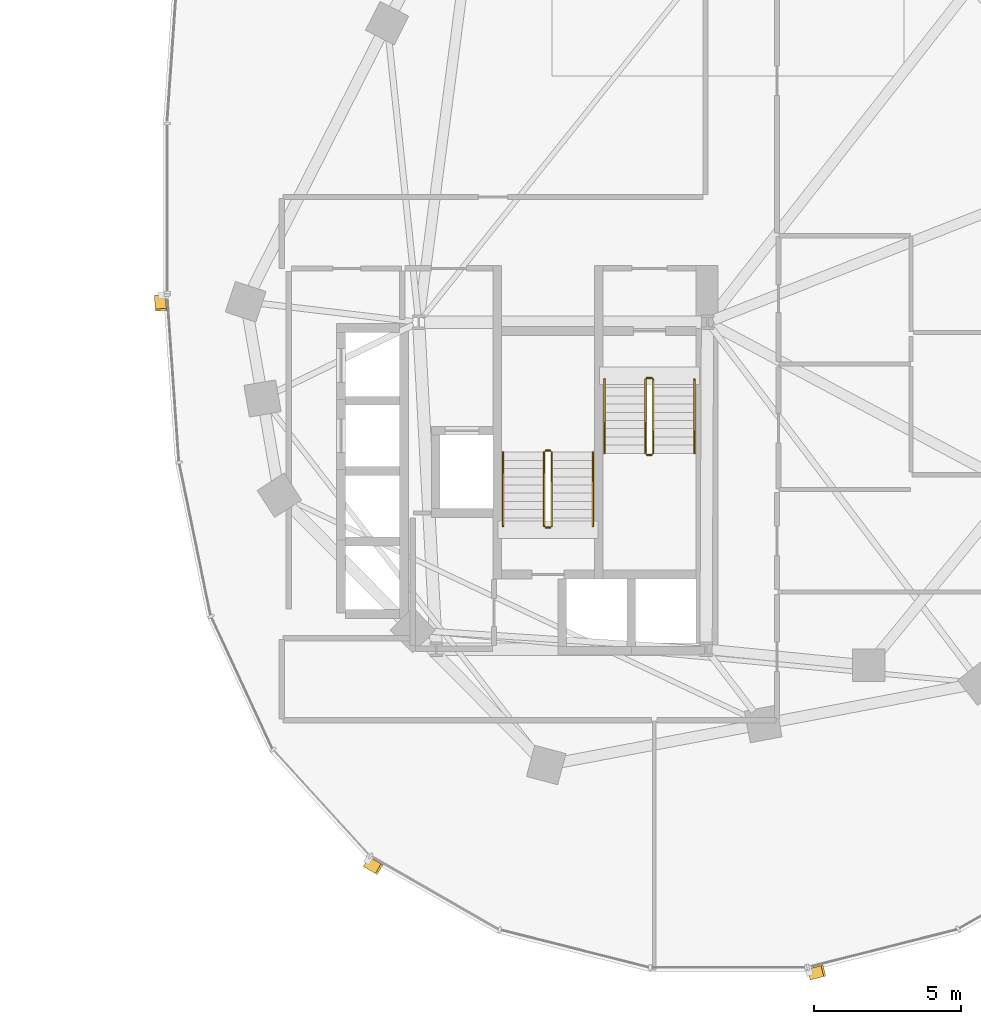
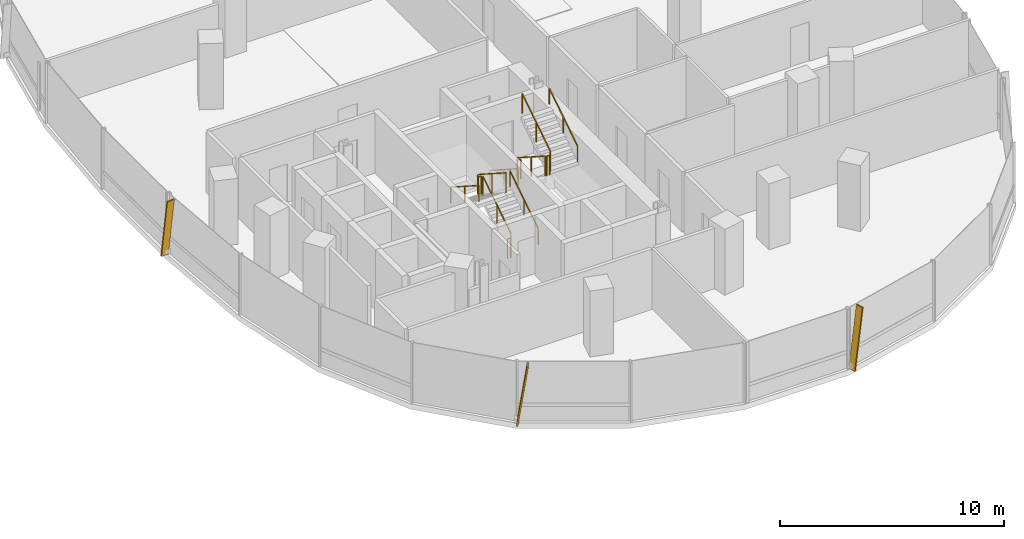
# One storey, part 20 of 21: 12 railings, 3 shading devices.
"""IFC4 building model written with IfcOpenShell, lengths in metres."""

import ifcopenshell
import ifcopenshell.guid

model = None  # the IFC model being written
_history = None  # IfcOwnerHistory: only IFC2X3 demands one
_inside = {}  # id of a spatial element -> (the spatial element, [elements in it])
_under = {}  # id of a project, library or spatial element -> (it, [spatial elements below it])
_declared = {}  # id of a project -> (the project, [libraries it declares])
_typed = {}  # id of a type object -> (the type object, [elements of that type])
_made_of = {}  # id of a material, layer set ... -> (it, [elements and type objects made of it])


def new_model(schema):
    """Start an empty IFC model of exactly this schema.

    Asked for "IFC4X3", IfcOpenShell would pick the latest addendum, in which some entities
    have other attributes; the version numbers below select the first issue.
    IFC2X3 requires an IfcOwnerHistory on every rooted entity: one is made here for all.
    """
    global model, _history
    if schema == "IFC4X3":
        model = ifcopenshell.file(schema_version=(4, 3, 0, 0))
    else:
        model = ifcopenshell.file(schema=schema)
    _inside.clear()
    _under.clear()
    _declared.clear()
    _typed.clear()
    _made_of.clear()
    _history = None
    if model.schema == "IFC2X3":
        org = make("IfcOrganization", Name="unknown")
        user = make(
            "IfcPersonAndOrganization",
            ThePerson=make("IfcPerson", FamilyName="unknown"),
            TheOrganization=org,
        )
        app = make(
            "IfcApplication",
            ApplicationDeveloper=org,
            Version="unknown",
            ApplicationFullName="unknown",
            ApplicationIdentifier="unknown",
        )
        _history = make(
            "IfcOwnerHistory",
            OwningUser=user,
            OwningApplication=app,
            ChangeAction="ADDED",
            CreationDate=0,
        )
    return model


def make(cls, **values):
    """One entity of the class cls with the attributes given. An attribute that is None is left unset."""
    return model.create_entity(
        cls, **{name: value for name, value in values.items() if value is not None}
    )


def rooted(cls, **values):
    """An entity with a GlobalId (a new one), such as an element, a storey or a relation."""
    return make(cls, GlobalId=ifcopenshell.guid.new(), OwnerHistory=_history, **values)


def si_unit(unit_type, name, prefix=None):
    """IfcSIUnit, for example si_unit("LENGTHUNIT", "METRE", prefix="MILLI")."""
    return make("IfcSIUnit", UnitType=unit_type, Prefix=prefix, Name=name)


def assignment(units):
    """IfcUnitAssignment: the units of a project."""
    return None if units is None else make("IfcUnitAssignment", Units=units)


def point(xyz):
    """IfcCartesianPoint."""
    return None if xyz is None else make("IfcCartesianPoint", Coordinates=xyz)


def direction(xyz):
    """IfcDirection."""
    return None if xyz is None else make("IfcDirection", DirectionRatios=xyz)


def frame(location, z_axis=None, x_axis=None):
    """IfcAxis2Placement3D, a coordinate frame: its origin and axes. An axis left out is left unset."""
    return make(
        "IfcAxis2Placement3D",
        Location=point(location),
        Axis=direction(z_axis),
        RefDirection=direction(x_axis),
    )


def frame_2d(location, x_axis=None):
    """IfcAxis2Placement2D, a coordinate frame in the plane: its origin and x axis."""
    return make(
        "IfcAxis2Placement2D", Location=point(location), RefDirection=direction(x_axis)
    )


def origin():
    """The frame at (0, 0, 0) with its axes left unset."""
    return frame((0.0, 0.0, 0.0))


def origin_2d():
    """The frame at (0, 0) in the plane with its x axis left unset."""
    return frame_2d((0.0, 0.0))


def place(relative_to, where):
    """IfcLocalPlacement: puts the frame where relative to a parent placement (None: the world)."""
    return make(
        "IfcLocalPlacement", PlacementRelTo=relative_to, RelativePlacement=where
    )


def context(
    kind, dimensions, precision=None, world=None, true_north=None, identifier=None
):
    """IfcGeometricRepresentationContext, for example the 3D "Model" context."""
    return make(
        "IfcGeometricRepresentationContext",
        ContextIdentifier=identifier,
        ContextType=kind,
        CoordinateSpaceDimension=dimensions,
        Precision=precision,
        WorldCoordinateSystem=world,
        TrueNorth=true_north,
    )


def subcontext(parent, identifier, kind, view, scale=None):
    """IfcGeometricRepresentationSubContext, for example "Body" below "Model"."""
    return make(
        "IfcGeometricRepresentationSubContext",
        ContextIdentifier=identifier,
        ContextType=kind,
        ParentContext=parent,
        TargetScale=scale,
        TargetView=view,
    )


def project(units=None, contexts=None):
    """IfcProject with its units and contexts."""
    return rooted(
        "IfcProject",
        Name="project",
        RepresentationContexts=contexts,
        UnitsInContext=assignment(units),
    )


def spatial(cls, under=None, at=None, **own):
    """A site, building, storey or space (cls), placed at a placement, below another one or the project."""
    s = rooted(cls, ObjectPlacement=at, **own)
    if under is not None:
        _under.setdefault(under.id(), (under, []))[1].append(s)
    return s


def profile(cls, at=None, kind="AREA", **sizes):
    """A parametric profile (cls). Its sizes go by their IFC names, for example OverallWidth=200.0."""
    return make(cls, ProfileType=kind, Position=at, **sizes)


def rectangle(**sizes):
    """IfcRectangleProfileDef."""
    return profile("IfcRectangleProfileDef", **sizes)


def extrude(swept, where, along, depth):
    """IfcExtrudedAreaSolid: the profile swept, set in the frame where, extruded along a direction by depth."""
    return make(
        "IfcExtrudedAreaSolid",
        SweptArea=swept,
        Position=where,
        ExtrudedDirection=direction(along),
        Depth=depth,
    )


def shape(context_of_items, identifier, shape_type, items):
    """IfcShapeRepresentation: the items that make up one representation, for example the "Body"."""
    return make(
        "IfcShapeRepresentation",
        ContextOfItems=context_of_items,
        RepresentationIdentifier=identifier,
        RepresentationType=shape_type,
        Items=items,
    )


def material(Name=None, Category=None):
    """IfcMaterial."""
    return make("IfcMaterial", Name=Name, Category=Category)


def material_profile(
    of_material, cross_section, Name=None, Category=None, Priority=None
):
    """IfcMaterialProfile: a cross section and its material."""
    return make(
        "IfcMaterialProfile",
        Name=Name,
        Material=of_material,
        Profile=cross_section,
        Priority=Priority,
        Category=Category,
    )


def profile_set(profiles, Name=None, composite=None):
    """IfcMaterialProfileSet."""
    return make(
        "IfcMaterialProfileSet",
        Name=Name,
        MaterialProfiles=profiles,
        CompositeProfile=composite,
    )


def made_of(thing, what):
    """Note that an element or type object is made of a material, layer set ...; save() writes the relation."""
    if what is not None:
        _made_of.setdefault(what.id(), (what, []))[1].append(thing)
    return thing


def type_object(cls, material=None, **own):
    """A type object (cls), such as IfcWallType, which elements share."""
    return made_of(rooted(cls, **own), material)


def element(
    cls,
    number,
    at=None,
    inside=None,
    cuts=None,
    type_object=None,
    material=None,
    context=None,
    identifier="Body",
    shape_type=None,
    held_by="IfcProductDefinitionShape",
    body=None,
    shapes=None,
    **own,
):
    """One element of the class cls, such as IfcWall. Its Tag is "e" and its number.

    at: its placement. inside: the storey or other place that contains it. cuts: it is an
    opening in that element (IfcRelVoidsElement). A single representation is given by context,
    identifier, shape_type and body (its items); several are given by shapes. held_by: the class
    of the entity that holds the representations. save() writes the other relations.
    """
    e = rooted(cls, Tag="e%d" % number, ObjectPlacement=at, **own)
    if body is not None:
        shapes = [shape(context, identifier, shape_type, body)]
    if shapes is not None:
        e.Representation = make(held_by, Representations=shapes)
    if inside is not None:
        _inside.setdefault(inside.id(), (inside, []))[1].append(e)
    if cuts is not None:
        rooted(
            "IfcRelVoidsElement", RelatingBuildingElement=cuts, RelatedOpeningElement=e
        )
    if type_object is not None:
        _typed.setdefault(type_object.id(), (type_object, []))[1].append(e)
    return made_of(e, material)


def aggregate(whole, parts):
    """IfcRelAggregates: a whole, such as a stair, and the parts it consists of."""
    return rooted("IfcRelAggregates", RelatingObject=whole, RelatedObjects=parts)


def save(model, path):
    """Write the relations noted so far, then the file.

    IfcRelAggregates (storeys below a building ...), IfcRelContainedInSpatialStructure (elements
    in a storey), IfcRelDefinesByType, IfcRelAssociatesMaterial and IfcRelDeclares: one each for
    every whole, place, type object, material and project.
    """
    for whole, parts in _under.values():
        aggregate(whole, parts)
    for where, things in _inside.values():
        rooted(
            "IfcRelContainedInSpatialStructure",
            RelatedElements=things,
            RelatingStructure=where,
        )
    for kind, things in _typed.values():
        rooted("IfcRelDefinesByType", RelatedObjects=things, RelatingType=kind)
    for what, things in _made_of.values():
        rooted("IfcRelAssociatesMaterial", RelatedObjects=things, RelatingMaterial=what)
    for by, libraries in _declared.values():
        rooted("IfcRelDeclares", RelatingContext=by, RelatedDefinitions=libraries)
    model.write(path)


model = new_model("IFC4")

# Units and contexts
model_context = context("Model", 3, precision=1e-05, world=origin(), true_north=direction((0.0, 1.0)))
body_context = subcontext(model_context, "Body", "Model", "MODEL_VIEW")
ifc_project = project(units=[si_unit("LENGTHUNIT", "METRE"), si_unit("AREAUNIT", "SQUARE_METRE"), si_unit("VOLUMEUNIT", "CUBIC_METRE"), si_unit("PLANEANGLEUNIT", "RADIAN"), si_unit("MASSUNIT", "GRAM", prefix="KILO"), si_unit("THERMODYNAMICTEMPERATUREUNIT", "KELVIN"), si_unit("POWERUNIT", "WATT")], contexts=[model_context])

# Site, building, storey
site_placement = place(None, origin())
site = spatial("IfcSite", under=ifc_project, at=site_placement, CompositionType="ELEMENT")
building_placement = place(site_placement, origin())
building = spatial("IfcBuilding", under=site, at=building_placement, Name="Cundina Bronze Exchange", CompositionType="ELEMENT")
storey_placement = place(building_placement, frame((0.0, 0.0, 92.60009765625)))
storey = spatial("IfcBuildingStorey", under=building, at=storey_placement, Name="L23", CompositionType="ELEMENT", Elevation=92.60009765625)

# Railings
ifc_material_1 = material(Name="Steel ASTM A36 Painted", Category="steel")
railing_type_1 = type_object("IfcRailingType", Name="RLG-HND-900", PredefinedType="HANDRAIL", material=ifc_material_1)
railing_1_placement = place(storey_placement, frame((27.7900390625, -5.85009765625, 0.179931640625)))
element("IfcRailing", 1, at=railing_1_placement, inside=storey, type_object=railing_type_1, Name="L23 ST-E1 stair handrail 1", PredefinedType="HANDRAIL", context=body_context, shape_type="SweptSolid", body=[
    extrude(rectangle(XDim=0.048095703125, YDim=0.048095703125, at=origin_2d()), frame((0.0, 0.0, 0.8759765625), z_axis=(0.0, -0.841199657755, 0.540724639528), x_axis=(1.0, 0.0, 0.0)), (0.0, 0.0, 1.0), 2.995849609375),
    extrude(rectangle(XDim=0.0419921875, YDim=0.0419921875, at=origin_2d()), origin(), (0.0, 0.0, 1.0), 0.851806640625),
    extrude(rectangle(XDim=0.0419921875, YDim=0.0419921875, at=origin_2d()), frame((0.0, -1.260009765625, 0.81005859375)), (0.0, 0.0, 1.0), 0.851806640625),
    extrude(rectangle(XDim=0.0419921875, YDim=0.0419921875, at=origin_2d()), frame((0.0, -2.52001953125, 1.619873046875)), (0.0, 0.0, 1.0), 0.851806640625),
])
for number, where, name in (
    (2, (30.85009765625, -8.3701171875, 1.97998046875), "L23 ST-E1 stair handrail 2"),
    (3, (27.389892578125, -10.85009765625, 0.179931640625), "L23 ST-E2 stair handrail 1"),
):
    element("IfcRailing", number, at=place(storey_placement, frame(where)), inside=storey, type_object=railing_type_1, Name=name, PredefinedType="HANDRAIL", context=body_context, shape_type="SweptSolid", body=[
        extrude(rectangle(XDim=0.048095703125, YDim=0.048095703125, at=origin_2d()), frame((0.0, 0.0, 0.8759765625), z_axis=(0.0, 0.841199657755, 0.540724639528), x_axis=(-1.0, 0.0, 0.0)), (0.0, 0.0, 1.0), 2.995849609375),
        extrude(rectangle(XDim=0.0419921875, YDim=0.0419921875, at=origin_2d()), origin(), (0.0, 0.0, 1.0), 0.851806640625),
        extrude(rectangle(XDim=0.0419921875, YDim=0.0419921875, at=origin_2d()), frame((0.0, 1.260009765625, 0.81005859375)), (0.0, 0.0, 1.0), 0.851806640625),
        extrude(rectangle(XDim=0.0419921875, YDim=0.0419921875, at=origin_2d()), frame((0.0, 2.52001953125, 1.619873046875)), (0.0, 0.0, 1.0), 0.851806640625),
    ])
railing_2_placement = place(storey_placement, frame((24.330078125, -8.330078125, 1.97998046875)))
element("IfcRailing", 4, at=railing_2_placement, inside=storey, type_object=railing_type_1, Name="L23 ST-E2 stair handrail 2", PredefinedType="HANDRAIL", context=body_context, shape_type="SweptSolid", body=[
    extrude(rectangle(XDim=0.048095703125, YDim=0.048095703125, at=origin_2d()), frame((0.0, 0.0, 0.8759765625), z_axis=(0.0, -0.841199657755, 0.540724639528), x_axis=(1.0, 0.0, 0.0)), (0.0, 0.0, 1.0), 2.995849609375),
    extrude(rectangle(XDim=0.0419921875, YDim=0.0419921875, at=origin_2d()), origin(), (0.0, 0.0, 1.0), 0.851806640625),
    extrude(rectangle(XDim=0.0419921875, YDim=0.0419921875, at=origin_2d()), frame((0.0, -1.260009765625, 0.81005859375)), (0.0, 0.0, 1.0), 0.851806640625),
    extrude(rectangle(XDim=0.0419921875, YDim=0.0419921875, at=origin_2d()), frame((0.0, -2.52001953125, 1.619873046875)), (0.0, 0.0, 1.0), 0.851806640625),
])
railing_type_2 = type_object("IfcRailingType", Name="RLG-STG-1100", PredefinedType="GUARDRAIL", material=ifc_material_1)
railing_3_placement = place(storey_placement, frame((29.18994140625, -5.85009765625, 0.179931640625)))
element("IfcRailing", 5, at=railing_3_placement, inside=storey, type_object=railing_type_2, Name="L23 ST-E1 stair guard 1", PredefinedType="GUARDRAIL", context=body_context, shape_type="SweptSolid", body=[
    extrude(rectangle(XDim=0.048095703125, YDim=0.048095703125, at=origin_2d()), frame((0.0, 0.0, 1.076171875), z_axis=(0.0, -0.841199657755, 0.540724639528), x_axis=(1.0, 0.0, 0.0)), (0.0, 0.0, 1.0), 2.995849609375),
    extrude(rectangle(XDim=0.0419921875, YDim=0.0419921875, at=origin_2d()), origin(), (0.0, 0.0, 1.0), 1.052001953125),
    extrude(rectangle(XDim=0.0419921875, YDim=0.0419921875, at=origin_2d()), frame((0.0, -1.260009765625, 0.81005859375)), (0.0, 0.0, 1.0), 1.052001953125),
    extrude(rectangle(XDim=0.0419921875, YDim=0.0419921875, at=origin_2d()), frame((0.0, -2.52001953125, 1.619873046875)), (0.0, 0.0, 1.0), 1.052001953125),
])
railing_4_placement = place(storey_placement, frame((29.239990234375, -8.419921875, 1.7998046875)))
element("IfcRailing", 6, at=railing_4_placement, inside=storey, type_object=railing_type_2, Name="L23 ST-E1 stair guard 2", PredefinedType="GUARDRAIL", context=body_context, shape_type="SweptSolid", body=[
    extrude(rectangle(XDim=0.048095703125, YDim=0.048095703125, at=origin_2d()), frame((0.0, 0.0, 1.076171875), z_axis=(1.0, 0.0, 0.0), x_axis=(0.0, 1.0, 0.0)), (0.0, 0.0, 1.0), 0.159912109375),
    extrude(rectangle(XDim=0.0419921875, YDim=0.0419921875, at=origin_2d()), origin(), (0.0, 0.0, 1.0), 1.052001953125),
    extrude(rectangle(XDim=0.0419921875, YDim=0.0419921875, at=origin_2d()), frame((0.159912109375, 0.0, 0.0)), (0.0, 0.0, 1.0), 1.052001953125),
])
railing_5_placement = place(storey_placement, frame((29.449951171875, -8.3701171875, 1.97998046875)))
element("IfcRailing", 7, at=railing_5_placement, inside=storey, type_object=railing_type_2, Name="L23 ST-E1 stair guard 3", PredefinedType="GUARDRAIL", context=body_context, shape_type="SweptSolid", body=[
    extrude(rectangle(XDim=0.048095703125, YDim=0.048095703125, at=origin_2d()), frame((0.0, 0.0, 1.076171875), z_axis=(0.0, 0.841199657755, 0.540724639528), x_axis=(-1.0, 0.0, 0.0)), (0.0, 0.0, 1.0), 2.995849609375),
    extrude(rectangle(XDim=0.0419921875, YDim=0.0419921875, at=origin_2d()), origin(), (0.0, 0.0, 1.0), 1.052001953125),
    extrude(rectangle(XDim=0.0419921875, YDim=0.0419921875, at=origin_2d()), frame((0.0, 1.260009765625, 0.81005859375)), (0.0, 0.0, 1.0), 1.052001953125),
    extrude(rectangle(XDim=0.0419921875, YDim=0.0419921875, at=origin_2d()), frame((0.0, 2.52001953125, 1.619873046875)), (0.0, 0.0, 1.0), 1.052001953125),
])
railing_6_placement = place(storey_placement, frame((29.239990234375, -5.800048828125, 0.0)))
element("IfcRailing", 8, at=railing_6_placement, inside=storey, type_object=railing_type_2, Name="L23 ST-E1 stair guard 4", PredefinedType="GUARDRAIL", context=body_context, shape_type="SweptSolid", body=[
    extrude(rectangle(XDim=0.048095703125, YDim=0.048095703125, at=origin_2d()), frame((0.0, 0.0, 1.076171875), z_axis=(1.0, 0.0, 0.0), x_axis=(0.0, 1.0, 0.0)), (0.0, 0.0, 1.0), 0.159912109375),
    extrude(rectangle(XDim=0.0419921875, YDim=0.0419921875, at=origin_2d()), origin(), (0.0, 0.0, 1.0), 1.052001953125),
    extrude(rectangle(XDim=0.0419921875, YDim=0.0419921875, at=origin_2d()), frame((0.159912109375, 0.0, 0.0)), (0.0, 0.0, 1.0), 1.052001953125),
])
railing_7_placement = place(storey_placement, frame((25.989990234375, -10.85009765625, 0.179931640625)))
element("IfcRailing", 9, at=railing_7_placement, inside=storey, type_object=railing_type_2, Name="L23 ST-E2 stair guard 1", PredefinedType="GUARDRAIL", context=body_context, shape_type="SweptSolid", body=[
    extrude(rectangle(XDim=0.048095703125, YDim=0.048095703125, at=origin_2d()), frame((0.0, 0.0, 1.076171875), z_axis=(0.0, 0.841199657755, 0.540724639528), x_axis=(-1.0, 0.0, 0.0)), (0.0, 0.0, 1.0), 2.995849609375),
    extrude(rectangle(XDim=0.0419921875, YDim=0.0419921875, at=origin_2d()), origin(), (0.0, 0.0, 1.0), 1.052001953125),
    extrude(rectangle(XDim=0.0419921875, YDim=0.0419921875, at=origin_2d()), frame((0.0, 1.260009765625, 0.81005859375)), (0.0, 0.0, 1.0), 1.052001953125),
    extrude(rectangle(XDim=0.0419921875, YDim=0.0419921875, at=origin_2d()), frame((0.0, 2.52001953125, 1.619873046875)), (0.0, 0.0, 1.0), 1.052001953125),
])
railing_8_placement = place(storey_placement, frame((25.93994140625, -8.280029296875, 1.7998046875)))
element("IfcRailing", 10, at=railing_8_placement, inside=storey, type_object=railing_type_2, Name="L23 ST-E2 stair guard 2", PredefinedType="GUARDRAIL", context=body_context, shape_type="SweptSolid", body=[
    extrude(rectangle(XDim=0.048095703125, YDim=0.048095703125, at=origin_2d()), frame((0.0, 0.0, 1.076171875), z_axis=(-1.0, 0.0, 0.0), x_axis=(0.0, -1.0, 0.0)), (0.0, 0.0, 1.0), 0.159912109375),
    extrude(rectangle(XDim=0.0419921875, YDim=0.0419921875, at=origin_2d()), origin(), (0.0, 0.0, 1.0), 1.052001953125),
    extrude(rectangle(XDim=0.0419921875, YDim=0.0419921875, at=origin_2d()), frame((-0.159912109375, 0.0, 0.0)), (0.0, 0.0, 1.0), 1.052001953125),
])
railing_9_placement = place(storey_placement, frame((25.72998046875, -8.330078125, 1.97998046875)))
element("IfcRailing", 11, at=railing_9_placement, inside=storey, type_object=railing_type_2, Name="L23 ST-E2 stair guard 3", PredefinedType="GUARDRAIL", context=body_context, shape_type="SweptSolid", body=[
    extrude(rectangle(XDim=0.048095703125, YDim=0.048095703125, at=origin_2d()), frame((0.0, 0.0, 1.076171875), z_axis=(0.0, -0.841199657755, 0.540724639528), x_axis=(1.0, 0.0, 0.0)), (0.0, 0.0, 1.0), 2.995849609375),
    extrude(rectangle(XDim=0.0419921875, YDim=0.0419921875, at=origin_2d()), origin(), (0.0, 0.0, 1.0), 1.052001953125),
    extrude(rectangle(XDim=0.0419921875, YDim=0.0419921875, at=origin_2d()), frame((0.0, -1.260009765625, 0.81005859375)), (0.0, 0.0, 1.0), 1.052001953125),
    extrude(rectangle(XDim=0.0419921875, YDim=0.0419921875, at=origin_2d()), frame((0.0, -2.52001953125, 1.619873046875)), (0.0, 0.0, 1.0), 1.052001953125),
])
railing_10_placement = place(storey_placement, frame((25.93994140625, -10.89990234375, 0.0)))
element("IfcRailing", 12, at=railing_10_placement, inside=storey, type_object=railing_type_2, Name="L23 ST-E2 stair guard 4", PredefinedType="GUARDRAIL", context=body_context, shape_type="SweptSolid", body=[
    extrude(rectangle(XDim=0.048095703125, YDim=0.048095703125, at=origin_2d()), frame((0.0, 0.0, 1.076171875), z_axis=(-1.0, 0.0, 0.0), x_axis=(0.0, -1.0, 0.0)), (0.0, 0.0, 1.0), 0.159912109375),
    extrude(rectangle(XDim=0.0419921875, YDim=0.0419921875, at=origin_2d()), origin(), (0.0, 0.0, 1.0), 1.052001953125),
    extrude(rectangle(XDim=0.0419921875, YDim=0.0419921875, at=origin_2d()), frame((-0.159912109375, 0.0, 0.0)), (0.0, 0.0, 1.0), 1.052001953125),
])

# Shading devices
ifc_material_2 = material(Name="Anodised Bronze Aluminium 6063-T6", Category="aluminium")
ifc_material_profile = material_profile(ifc_material_2, rectangle(XDim=0.070068359375, YDim=0.3798828125, at=origin_2d()), Name="FIN70X380", Category="aluminium")
ifc_profile_set = profile_set([ifc_material_profile], Name="Anodised Bronze Aluminium 6063-T6")
shading_device_type = type_object("IfcShadingDeviceType", Name="SHD-FIN-BRZ380", PredefinedType="USERDEFINED", material=ifc_profile_set)
for number, where, z_axis, x_axis, name in (
    (13, (12.6259765625, -2.993896484375, 0.02001953125), (0.01022529535, -0.145302928853, 0.989334373304), (-0.069449940286, 0.986893716667, 0.145662273078), "L23 Diagonal Bronze Solar Fin 1"),
    (14, (19.685791015625, -22.314208984375, 0.02001953125), (0.126333952546, -0.072540140494, 0.989331926328), (-0.857956914638, 0.492633325179, 0.145678891912), "L23 Diagonal Bronze Solar Fin 5"),
    (15, (34.787353515625, -26.138427734375, 0.02001953125), (0.141227399308, 0.035714379048, 0.989332757374), (-0.959138992792, -0.242552463025, 0.145673248011), "L23 Diagonal Bronze Solar Fin 1"),
):
    element("IfcShadingDevice", number, at=place(storey_placement, frame(where, z_axis=z_axis, x_axis=x_axis)), inside=storey, type_object=shading_device_type, Name=name, ObjectType="FIN", PredefinedType="USERDEFINED", context=body_context, shape_type="SweptSolid", body=[
        extrude(rectangle(XDim=0.070068359375, YDim=0.3798828125, at=origin_2d()), origin(), (0.0, 0.0, 1.0), 3.294921875),
    ])

save(model, "model.ifc")
